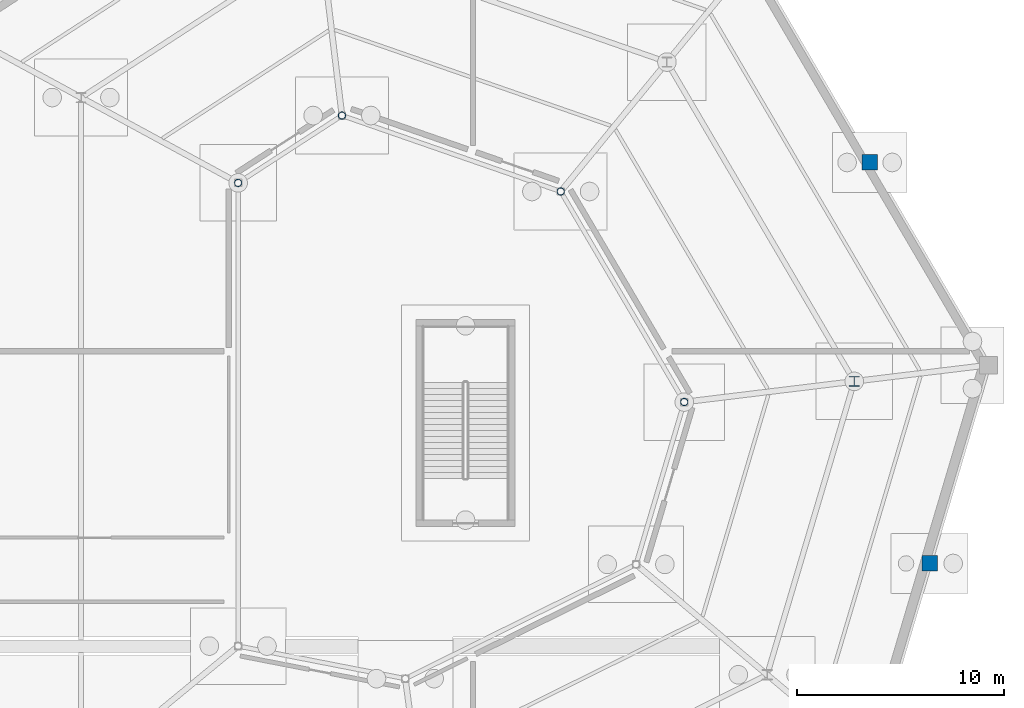
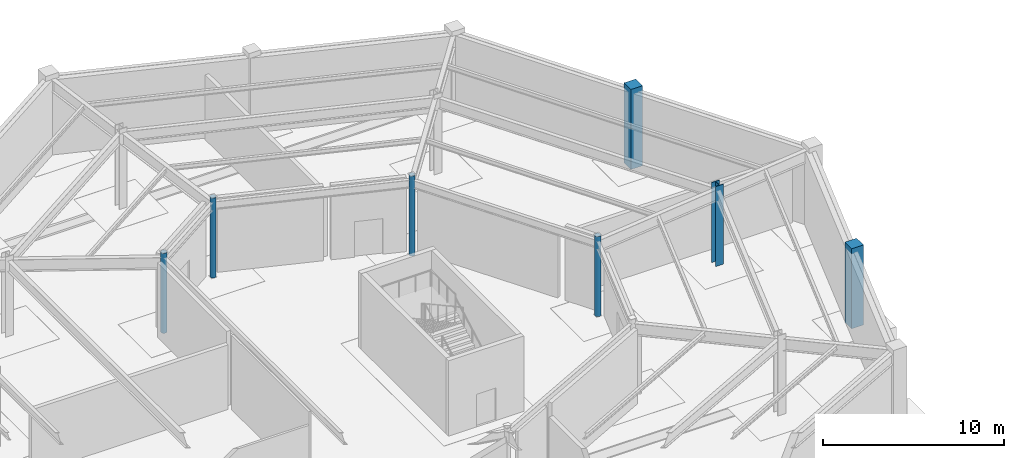
# One storey, part 15 of 48: 7 columns.
"""IFC4 building model written with IfcOpenShell, lengths in metres."""

from ifc_helpers import new_model, si_unit, direction, frame, origin, origin_2d, place, context, subcontext, project, spatial, rectangle, hollow_circle, i_section, extrude, material, material_profile, profile_set, type_object, element, save


model = new_model("IFC4")

# Units and contexts
model_context = context("Model", 3, precision=1e-05, world=origin(), true_north=direction((0.0, 1.0)))
body_context = subcontext(model_context, "Body", "Model", "MODEL_VIEW")
ifc_project = project(units=[si_unit("LENGTHUNIT", "METRE"), si_unit("AREAUNIT", "SQUARE_METRE"), si_unit("VOLUMEUNIT", "CUBIC_METRE"), si_unit("PLANEANGLEUNIT", "RADIAN"), si_unit("MASSUNIT", "GRAM", prefix="KILO")], contexts=[model_context])

# Site, building, storey
site_placement = place(None, origin())
site = spatial("IfcSite", under=ifc_project, at=site_placement, CompositionType="ELEMENT")
building_placement = place(site_placement, origin())
building = spatial("IfcBuilding", under=site, at=building_placement, Name="Sarnbrook Museum", CompositionType="ELEMENT")
storey_placement = place(building_placement, frame((0.0, 0.0, -5.39990234375)))
storey = spatial("IfcBuildingStorey", under=building, at=storey_placement, Name="B1", CompositionType="ELEMENT", Elevation=-5.39990234375)

# Columns
ifc_material_1 = material(Name="Structural Steel Hollow Section Grade C350L0 (AS/NZS 1163, fy = 350 MPa)", Category="steel")
ifc_material_profile_1 = material_profile(ifc_material_1, hollow_circle(Radius=0.177734375, WallThickness=0.0126953125, at=origin_2d()), Name="355.6x12.7CHS")
ifc_profile_set_1 = profile_set([ifc_material_profile_1], Name="Structural Steel Hollow Section Grade C350L0 (AS/NZS 1163, fy = 350 MPa)")
column_type_1 = type_object("IfcColumnType", Name="COL-CHS355", PredefinedType="COLUMN", material=ifc_profile_set_1)
for number, where, z_axis, x_axis, name in (
    (1, (154.382080078125, 86.210205078125, 0.0), (0.0, 0.0, 1.0), (1.0, 0.0, 0.0), "Crystal Gallery Feature Column R2-4 B1"),
    (2, (148.40576171875, 96.39599609375, 0.0), (0.0, 0.0, 1.0), (1.0, 0.0, 0.0), "Crystal Gallery Feature Column R2-5 B1"),
    (3, (137.822509765625, 100.07080078125, 0.0), (0.0, 0.0, 1.0), (1.0, 0.0, 0.0), "Crystal Gallery Feature Column R2-6 B1"),
    (4, (132.800048828125, 96.81201171875, 0.0), (0.0, 0.0, 1.0), (1.0, 0.0, 0.0), "Crystal Gallery Feature Column R2-7 B1"),
):
    element("IfcColumn", number, at=place(storey_placement, frame(where, z_axis=z_axis, x_axis=x_axis)), inside=storey, type_object=column_type_1, Name=name, PredefinedType="COLUMN", context=body_context, shape_type="SweptSolid", body=[
        extrude(hollow_circle(Radius=0.177734375, WallThickness=0.0126953125, at=origin_2d()), origin(), (0.0, 0.0, 1.0), 5.39990234375),
    ])
ifc_material_2 = material(Name="Concrete N50 (AS 3600, f'c = 50 MPa)", Category="concrete")
ifc_material_profile_2 = material_profile(ifc_material_2, rectangle(XDim=0.75, YDim=0.75, at=origin_2d()), Name="RC 750x750")
ifc_profile_set_2 = profile_set([ifc_material_profile_2], Name="Concrete N50 (AS 3600, f'c = 50 MPa)")
column_type_2 = type_object("IfcColumnType", Name="COL-RC750", PredefinedType="COLUMN", material=ifc_profile_set_2)
for number, where, z_axis, x_axis, name in (
    (5, (166.25, 78.39990234375, 0.0), (0.0, 0.0, 1.0), (1.0, 0.0, 0.0), "Colonnade Pier M3 B1"),
    (6, (163.35009765625, 97.800048828125, 0.0), (0.0, 0.0, 1.0), (1.0, 0.0, 0.0), "Colonnade Pier M4 B1"),
):
    element("IfcColumn", number, at=place(storey_placement, frame(where, z_axis=z_axis, x_axis=x_axis)), inside=storey, type_object=column_type_2, Name=name, PredefinedType="COLUMN", context=body_context, shape_type="SweptSolid", body=[
        extrude(rectangle(XDim=0.75, YDim=0.75, at=origin_2d()), origin(), (0.0, 0.0, 1.0), 5.39990234375),
    ])
ifc_material_3 = material(Name="Structural Steel Grade 350L0 (AS/NZS 3678, fy = 340 MPa for 20 < t <= 40 mm)", Category="steel")
ifc_material_profile_3 = material_profile(ifc_material_3, i_section(OverallWidth=0.5, OverallDepth=0.489990234375, WebThickness=0.028076171875, FlangeThickness=0.0400390625, at=origin_2d()), Name="500WC340")
ifc_profile_set_3 = profile_set([ifc_material_profile_3], Name="Structural Steel Grade 350L0 (AS/NZS 3678, fy = 340 MPa for 20 < t <= 40 mm)")
column_type_3 = type_object("IfcColumnType", Name="COL-WC500", PredefinedType="COLUMN", material=ifc_profile_set_3)
column_placement = place(storey_placement, frame((162.606689453125, 87.21044921875, 0.0), z_axis=(0.0, 0.0, 1.0), x_axis=(1.0, 0.0, 0.0)))
element("IfcColumn", 7, at=column_placement, inside=storey, type_object=column_type_3, Name="Crystal Hall Ring Column R1-4 B1", PredefinedType="COLUMN", context=body_context, shape_type="SweptSolid", body=[
    extrude(i_section(OverallWidth=0.5, OverallDepth=0.489990234375, WebThickness=0.028076171875, FlangeThickness=0.0400390625, at=origin_2d()), origin(), (0.0, 0.0, 1.0), 5.39990234375),
])

save(model, "model.ifc")
